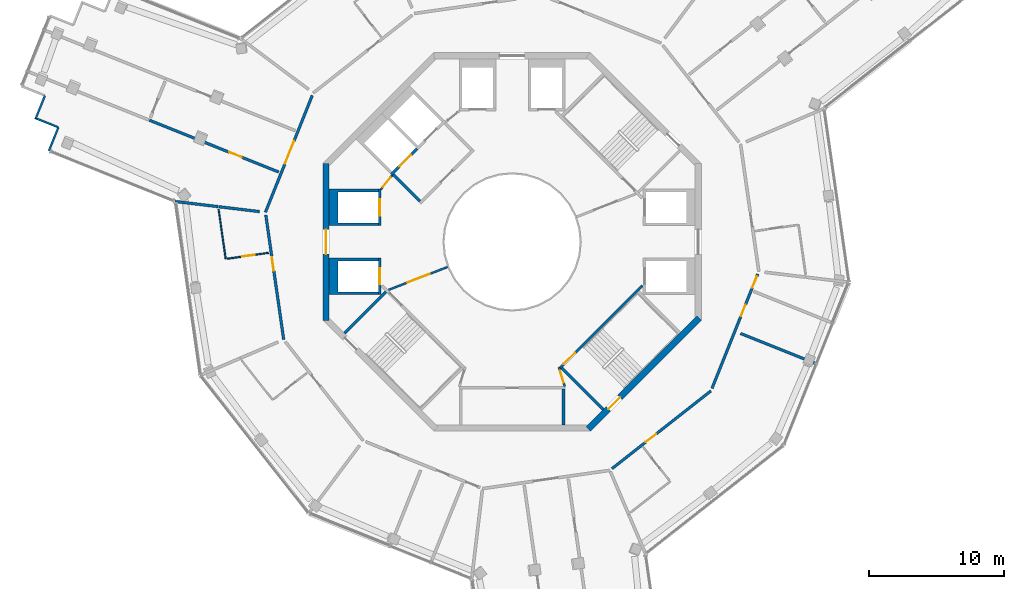
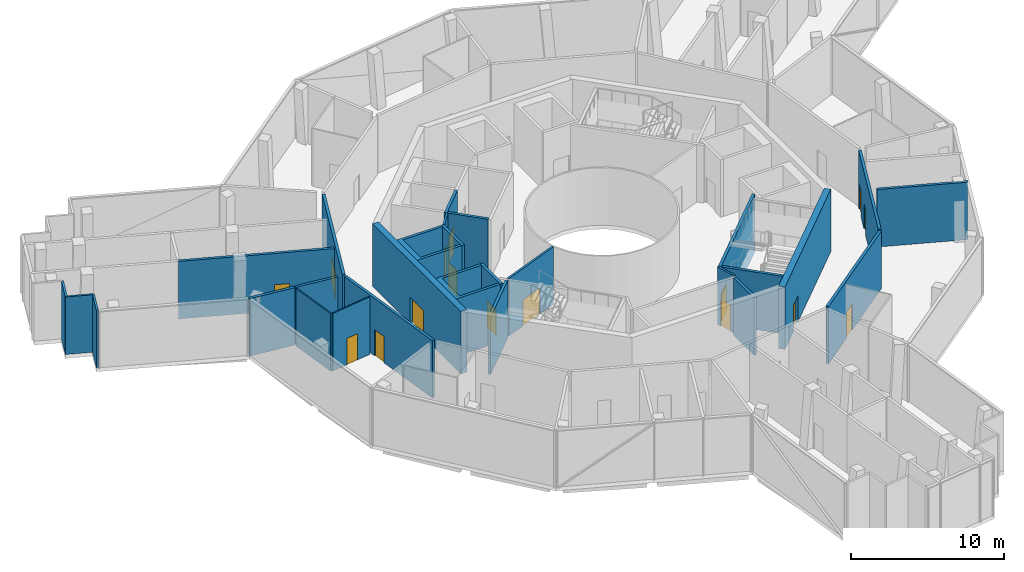
# One storey, part 11 of 19: 28 walls, 16 doors, 16 openings.
"""IFC4 building model written with IfcOpenShell, lengths in metres."""

from ifc_helpers import new_model, si_unit, direction, frame, frame_2d, origin, place, context, subcontext, project, spatial, polyline, rectangle, outline, extrude, material, layer, layer_set, type_object, element, fill, save


model = new_model("IFC4")

# Units and contexts
model_context = context("Model", 3, precision=1e-05, world=origin(), true_north=direction((0.0, 1.0)))
body_context = subcontext(model_context, "Body", "Model", "MODEL_VIEW")
ifc_project = project(units=[si_unit("LENGTHUNIT", "METRE"), si_unit("AREAUNIT", "SQUARE_METRE"), si_unit("VOLUMEUNIT", "CUBIC_METRE"), si_unit("PLANEANGLEUNIT", "RADIAN"), si_unit("MASSUNIT", "GRAM", prefix="KILO")], contexts=[model_context])

# Site, building, storey
site_placement = place(None, origin())
site = spatial("IfcSite", under=ifc_project, at=site_placement, CompositionType="ELEMENT")
building_placement = place(site_placement, origin())
building = spatial("IfcBuilding", under=site, at=building_placement, Name="Verdalira Terraces Hotel", CompositionType="ELEMENT")
storey_placement = place(building_placement, frame((0.0, 0.0, 310.0)))
storey = spatial("IfcBuildingStorey", under=building, at=storey_placement, Name="L77", CompositionType="ELEMENT", Elevation=310.0)

# Wall
ifc_material_1 = material(Name="Moisture-resistant gypsum board partition")
ifc_layer_1 = layer(ifc_material_1, 0.10009765625)
ifc_layer_set_1 = layer_set([ifc_layer_1], Name="Bathroom partition 100 mm")
wall_type_1 = type_object("IfcWallType", Name="Bathroom partition 100 mm", PredefinedType="PARTITIONING", material=ifc_layer_set_1)
wall_1_placement = place(storey_placement, frame((-21.193604, -1.262695, 0.0), z_axis=(0.0, 0.0, 1.0), x_axis=(-0.141974997, 0.989870244, 0.0)))
element("IfcWall", 1, at=wall_1_placement, inside=storey, type_object=wall_type_1, Name="Bathroom partition", PredefinedType="PARTITIONING", context=body_context, shape_type="SweptSolid", body=[
    extrude(rectangle(XDim=3.704102, YDim=0.100098, at=frame_2d((1.852051, 0.0))), origin(), (0.0, 0.0, 1.0), 4.600098),
])

# Wall, opening, door
wall_2_placement = place(storey_placement, frame((-21.094727, -1.248291, 0.0), z_axis=(0.0, 0.0, 1.0), x_axis=(0.989878489, 0.141917498, 0.0)))
wall_2 = element("IfcWall", 2, at=wall_2_placement, inside=storey, type_object=wall_type_1, Name="Bathroom partition", PredefinedType="PARTITIONING", context=body_context, shape_type="SweptSolid", body=[
    extrude(rectangle(XDim=3.100098, YDim=0.100098, at=frame_2d((1.550049, 0.0))), origin(), (0.0, 0.0, 1.0), 4.600098),
])
opening_1_placement = place(wall_2_placement, frame((1.149902, 0.0, 0.0)))
opening_1 = element("IfcOpeningElement", 3, at=opening_1_placement, cuts=wall_2, Name="Opening L77-106", PredefinedType="OPENING", context=body_context, shape_type="SweptSolid", body=[
    extrude(rectangle(XDim=0.899902, YDim=2.100098, at=frame_2d((0.449951, 1.050049))), frame((0.0, 0.060059, 0.0), z_axis=(0.0, -1.0, 0.0), x_axis=(1.0, 0.0, 0.0)), (0.0, 0.0, 1.0), 0.120117),
])
ifc_material_2 = material(Name="Timber door", Category="wood")
door_type_1 = type_object("IfcDoorType", Name="Bathroom door 900 x 2100", OperationType="NOTDEFINED", PredefinedType="DOOR", material=ifc_material_2)
door_1_placement = place(opening_1_placement, origin())
door_1 = element("IfcDoor", 4, at=door_1_placement, inside=storey, type_object=door_type_1, Name="Bathroom door 7702", OperationType="SINGLE_SWING_LEFT", OverallHeight=2.10009765625, OverallWidth=0.89990234375, PredefinedType="DOOR", context=body_context, shape_type="SweptSolid", body=[
    extrude(rectangle(XDim=0.899902, YDim=2.100098, at=frame_2d((0.449951, 1.050049))), frame((0.0, 0.024902, 0.0), z_axis=(0.0, -1.0, 0.0), x_axis=(1.0, 0.0, 0.0)), (0.0, 0.0, 1.0), 0.050049),
])
fill(opening_1, door_1)

# Wall
ifc_material_3 = material(Name="Concrete C50", Category="concrete")
ifc_layer_2 = layer(ifc_material_3, 0.199951171875)
ifc_layer_set_2 = layer_set([ifc_layer_2], Name="Core RC wall 200 C50")
wall_type_2 = type_object("IfcWallType", Name="Core RC wall 200 C50", PredefinedType="SOLIDWALL", material=ifc_layer_set_2)
wall_3_placement = place(storey_placement, origin())
element("IfcWall", 5, at=wall_3_placement, inside=storey, type_object=wall_type_2, Name="L77 shaft wall W1", PredefinedType="SOLIDWALL", context=body_context, shape_type="SweptSolid", body=[
    extrude(outline(polyline([(-13.550049, 3.899902), (-9.899902, 3.899902), (-9.899902, 3.699951), (-12.899902, 3.699951), (-12.899902, 1.399902), (-9.899902, 1.399902), (-9.899902, 1.199951), (-13.550049, 1.199951), (-13.550049, 3.899902)])), origin(), (0.0, 0.0, 1.0), 4.600098),
])

# Wall, opening, door
wall_4_placement = place(storey_placement, frame((-9.800049, 1.199951, 0.0), z_axis=(0.0, 0.0, 1.0), x_axis=(0.0, 1.0, 0.0)))
wall_4 = element("IfcWall", 6, at=wall_4_placement, inside=storey, type_object=wall_type_2, Name="L77 shaft front wall W1", PredefinedType="SOLIDWALL", context=body_context, shape_type="SweptSolid", body=[
    extrude(rectangle(XDim=2.699951, YDim=0.199951, at=frame_2d((1.350098, 0.0))), origin(), (0.0, 0.0, 1.0), 4.600098),
])
opening_2_placement = place(wall_4_placement, frame((0.75, 0.0, 0.0)))
opening_2 = element("IfcOpeningElement", 7, at=opening_2_placement, cuts=wall_4, Name="Opening LD-L77-806", PredefinedType="OPENING", context=body_context, shape_type="SweptSolid", body=[
    extrude(rectangle(XDim=1.199951, YDim=2.100098, at=frame_2d((0.600098, 1.050049))), frame((0.0, 0.109863, 0.0), z_axis=(0.0, -1.0, 0.0), x_axis=(1.0, 0.0, 0.0)), (0.0, 0.0, 1.0), 0.219971),
])
ifc_material_4 = material(Name="Stainless steel", Category="steel")
door_type_2 = type_object("IfcDoorType", Name="Landing door 1200 x 2100", OperationType="NOTDEFINED", PredefinedType="DOOR", material=ifc_material_4)
door_2_placement = place(opening_2_placement, origin())
door_2 = element("IfcDoor", 8, at=door_2_placement, inside=storey, type_object=door_type_2, Name="Lift landing door HR5 L77", OperationType="DOUBLE_DOOR_SLIDING", OverallHeight=2.10009765625, OverallWidth=1.199951171875, PredefinedType="DOOR", context=body_context, shape_type="SweptSolid", body=[
    extrude(rectangle(XDim=1.199951, YDim=2.100098, at=frame_2d((0.600098, 1.050049))), frame((0.0, 0.024902, 0.0), z_axis=(0.0, -1.0, 0.0), x_axis=(1.0, 0.0, 0.0)), (0.0, 0.0, 1.0), 0.050049),
])
fill(opening_2, door_2)

# Wall
wall_5_placement = place(storey_placement, origin())
element("IfcWall", 9, at=wall_5_placement, inside=storey, type_object=wall_type_2, Name="L77 shaft wall W2", PredefinedType="SOLIDWALL", context=body_context, shape_type="SweptSolid", body=[
    extrude(outline(polyline([(-13.550049, -3.899902), (-13.550049, -1.199951), (-9.899902, -1.199951), (-9.899902, -1.399902), (-12.899902, -1.399902), (-12.899902, -3.699951), (-9.899902, -3.699951), (-9.899902, -3.899902), (-13.550049, -3.899902)])), origin(), (0.0, 0.0, 1.0), 4.600098),
])

# Wall, opening, door
wall_6_placement = place(storey_placement, frame((-9.800049, -1.199951, 0.0), z_axis=(0.0, 0.0, 1.0), x_axis=(0.0, -1.0, 0.0)))
wall_6 = element("IfcWall", 10, at=wall_6_placement, inside=storey, type_object=wall_type_2, Name="L77 shaft front wall W2", PredefinedType="SOLIDWALL", context=body_context, shape_type="SweptSolid", body=[
    extrude(rectangle(XDim=2.699951, YDim=0.199951, at=frame_2d((1.350098, 0.0))), origin(), (0.0, 0.0, 1.0), 4.600098),
])
opening_3_placement = place(wall_6_placement, frame((0.75, 0.0, 0.0)))
opening_3 = element("IfcOpeningElement", 11, at=opening_3_placement, cuts=wall_6, Name="Opening LD-L77-807", PredefinedType="OPENING", context=body_context, shape_type="SweptSolid", body=[
    extrude(rectangle(XDim=1.199951, YDim=2.100098, at=frame_2d((0.600098, 1.050049))), frame((0.0, 0.109863, 0.0), z_axis=(0.0, -1.0, 0.0), x_axis=(1.0, 0.0, 0.0)), (0.0, 0.0, 1.0), 0.219971),
])
door_3_placement = place(opening_3_placement, origin())
door_3 = element("IfcDoor", 12, at=door_3_placement, inside=storey, type_object=door_type_2, Name="Lift landing door HR6 L77", OperationType="DOUBLE_DOOR_SLIDING", OverallHeight=2.10009765625, OverallWidth=1.199951171875, PredefinedType="DOOR", context=body_context, shape_type="SweptSolid", body=[
    extrude(rectangle(XDim=1.199951, YDim=2.100098, at=frame_2d((0.600098, 1.050049))), frame((0.0, 0.024902, 0.0), z_axis=(0.0, -1.0, 0.0), x_axis=(1.0, 0.0, 0.0)), (0.0, 0.0, 1.0), 0.050049),
])
fill(opening_3, door_3)

# Wall
wall_7_placement = place(storey_placement, frame((3.800049, -10.899902, 0.0), z_axis=(0.0, 0.0, 1.0), x_axis=(0.0, -1.0, 0.0)))
element("IfcWall", 13, at=wall_7_placement, inside=storey, type_object=wall_type_2, Name="L77 store side wall", PredefinedType="SOLIDWALL", context=body_context, shape_type="SweptSolid", body=[
    extrude(rectangle(XDim=2.650146, YDim=0.199951, at=frame_2d((1.325195, 0.0))), origin(), (0.0, 0.0, 1.0), 4.600098),
])

# Wall, opening, door
wall_8_placement = place(storey_placement, frame((-7.035645, 6.894287, 0.0), z_axis=(0.0, 0.0, 1.0), x_axis=(-0.707106781, -0.707106781, 0.0)))
wall_8 = element("IfcWall", 14, at=wall_8_placement, inside=storey, type_object=wall_type_2, Name="L77 shaft front wall F2", PredefinedType="SOLIDWALL", context=body_context, shape_type="SweptSolid", body=[
    extrude(rectangle(XDim=2.699951, YDim=0.199951, at=frame_2d((1.350098, 0.0))), origin(), (0.0, 0.0, 1.0), 4.600098),
])
opening_4_placement = place(wall_8_placement, frame((0.649902, 0.0, 0.0)))
opening_4 = element("IfcOpeningElement", 15, at=opening_4_placement, cuts=wall_8, Name="Opening LD-L77-809", PredefinedType="OPENING", context=body_context, shape_type="SweptSolid", body=[
    extrude(rectangle(XDim=1.199951, YDim=2.100098, at=frame_2d((0.600098, 1.050049))), frame((0.0, 0.109863, 0.0), z_axis=(0.0, -1.0, 0.0), x_axis=(1.0, 0.0, 0.0)), (0.0, 0.0, 1.0), 0.219971),
])
door_4_placement = place(opening_4_placement, origin())
door_4 = element("IfcDoor", 16, at=door_4_placement, inside=storey, type_object=door_type_2, Name="Lift landing door LF12 L77", OperationType="DOUBLE_DOOR_SLIDING", OverallHeight=2.10009765625, OverallWidth=1.199951171875, PredefinedType="DOOR", context=body_context, shape_type="SweptSolid", body=[
    extrude(rectangle(XDim=1.199951, YDim=2.100098, at=frame_2d((0.600098, 1.050049))), frame((0.0, 0.024902, 0.0), z_axis=(0.0, -1.0, 0.0), x_axis=(1.0, 0.0, 0.0)), (0.0, 0.0, 1.0), 0.050049),
])
fill(opening_4, door_4)

# Wall
wall_9_placement = place(storey_placement, frame((-9.33374, -3.677002, 0.0), z_axis=(0.0, 0.0, 1.0), x_axis=(-0.707106781, -0.707106781, 0.0)))
element("IfcWall", 17, at=wall_9_placement, inside=storey, type_object=wall_type_2, Name="L77 stair ST2 end wall 1", PredefinedType="SOLIDWALL", context=body_context, shape_type="SweptSolid", body=[
    extrude(rectangle(XDim=4.350098, YDim=0.199951, at=frame_2d((2.175049, 0.0))), origin(), (0.0, 0.0, 1.0), 4.600098),
])

# Wall, opening, door
wall_10_placement = place(storey_placement, frame((9.629395, -3.23999, 0.0), z_axis=(0.0, 0.0, 1.0), x_axis=(-0.707120946, -0.707092617, 0.0)))
wall_10 = element("IfcWall", 18, at=wall_10_placement, inside=storey, type_object=wall_type_2, Name="L77 stair ST3 front wall", PredefinedType="SOLIDWALL", context=body_context, shape_type="SweptSolid", body=[
    extrude(rectangle(XDim=8.61792, YDim=0.199951, at=frame_2d((4.309082, 0.0))), origin(), (0.0, 0.0, 1.0), 4.600098),
])
opening_5_placement = place(wall_10_placement, frame((7.017822, 0.0, 0.0)))
opening_5 = element("IfcOpeningElement", 19, at=opening_5_placement, cuts=wall_10, Name="Opening L77-812", PredefinedType="OPENING", context=body_context, shape_type="SweptSolid", body=[
    extrude(rectangle(XDim=1.199951, YDim=2.100098, at=frame_2d((0.600098, 1.050049))), frame((0.0, 0.109863, 0.0), z_axis=(0.0, -1.0, 0.0), x_axis=(1.0, 0.0, 0.0)), (0.0, 0.0, 1.0), 0.219971),
])
ifc_material_5 = material(Name="Steel fire door", Category="steel")
door_type_3 = type_object("IfcDoorType", Name="Stair door 1200 x 2100", OperationType="NOTDEFINED", PredefinedType="DOOR", material=ifc_material_5)
door_5_placement = place(opening_5_placement, origin())
door_5 = element("IfcDoor", 20, at=door_5_placement, inside=storey, type_object=door_type_3, Name="Stair door ST3 L77", OperationType="SINGLE_SWING_RIGHT", OverallHeight=2.10009765625, OverallWidth=1.199951171875, PredefinedType="DOOR", context=body_context, shape_type="SweptSolid", body=[
    extrude(rectangle(XDim=1.199951, YDim=2.100098, at=frame_2d((0.600098, 1.050049))), frame((0.0, 0.024902, 0.0), z_axis=(0.0, -1.0, 0.0), x_axis=(1.0, 0.0, 0.0)), (0.0, 0.0, 1.0), 0.050049),
])
fill(opening_5, door_5)

# Walls
wall_11_placement = place(storey_placement, frame((3.677002, -9.33374, 0.0), z_axis=(0.0, 0.0, 1.0), x_axis=(0.707106781, -0.707106781, 0.0)))
element("IfcWall", 21, at=wall_11_placement, inside=storey, type_object=wall_type_2, Name="L77 stair ST3 end wall 1", PredefinedType="SOLIDWALL", context=body_context, shape_type="SweptSolid", body=[
    extrude(rectangle(XDim=4.350098, YDim=0.199951, at=frame_2d((2.175049, 0.0))), origin(), (0.0, 0.0, 1.0), 4.600098),
])
wall_12_placement = place(storey_placement, frame((-6.823486, 3.005127, 0.0), z_axis=(0.0, 0.0, 1.0), x_axis=(-0.707106781, 0.707106781, 0.0)))
element("IfcWall", 22, at=wall_12_placement, inside=storey, type_object=wall_type_2, Name="L77 fire lobby wall", PredefinedType="SOLIDWALL", context=body_context, shape_type="SweptSolid", body=[
    extrude(rectangle(XDim=2.800049, YDim=0.199951, at=frame_2d((1.399902, 0.0))), origin(), (0.0, 0.0, 1.0), 4.600098),
])

# Wall, opening, door
ifc_material_6 = material(Name="Gypsum board partition")
ifc_layer_3 = layer(ifc_material_6, 0.14990234375)
ifc_layer_set_3 = layer_set([ifc_layer_3], Name="Core partition 150 mm")
wall_type_3 = type_object("IfcWallType", Name="Core partition 150 mm", PredefinedType="PARTITIONING", material=ifc_layer_set_3)
wall_13_placement = place(storey_placement, frame((-8.874268, 4.914307, 0.0), z_axis=(0.0, 0.0, 1.0), x_axis=(-0.631274009, -0.775559878, 0.0)))
wall_13 = element("IfcWall", 23, at=wall_13_placement, inside=storey, type_object=wall_type_3, Name="Room partition L77", PredefinedType="PARTITIONING", context=body_context, shape_type="SweptSolid", body=[
    extrude(rectangle(XDim=1.307861, YDim=0.149902, at=frame_2d((0.653809, 0.0))), origin(), (0.0, 0.0, 1.0), 4.600098),
])
opening_6_placement = place(wall_13_placement, frame((0.204102, 0.0, 0.0)))
opening_6 = element("IfcOpeningElement", 24, at=opening_6_placement, cuts=wall_13, Name="Opening L77-821", PredefinedType="OPENING", context=body_context, shape_type="SweptSolid", body=[
    extrude(rectangle(XDim=0.899902, YDim=2.100098, at=frame_2d((0.449951, 1.050049))), frame((0.0, 0.084961, 0.0), z_axis=(0.0, -1.0, 0.0), x_axis=(1.0, 0.0, 0.0)), (0.0, 0.0, 1.0), 0.169922),
])
ifc_material_7 = material(Name="Steel fire door", Category="steel")
door_type_4 = type_object("IfcDoorType", Name="Core room door 900 x 2100", OperationType="NOTDEFINED", PredefinedType="DOOR", material=ifc_material_7)
door_6_placement = place(opening_6_placement, origin())
door_6 = element("IfcDoor", 25, at=door_6_placement, inside=storey, type_object=door_type_4, Name="Door L77 room3", OperationType="SINGLE_SWING_LEFT", OverallHeight=2.10009765625, OverallWidth=0.89990234375, PredefinedType="DOOR", context=body_context, shape_type="SweptSolid", body=[
    extrude(rectangle(XDim=0.899902, YDim=2.100098, at=frame_2d((0.449951, 1.050049))), frame((0.0, 0.024902, 0.0), z_axis=(0.0, -1.0, 0.0), x_axis=(1.0, 0.0, 0.0)), (0.0, 0.0, 1.0), 0.050049),
])
fill(opening_6, door_6)

wall_14_placement = place(storey_placement, frame((3.899902, -10.699951, 0.0), z_axis=(0.0, 0.0, 1.0), x_axis=(-0.289808785, 0.957084567, 0.0)))
wall_14 = element("IfcWall", 26, at=wall_14_placement, inside=storey, type_object=wall_type_3, Name="Room partition L77", PredefinedType="PARTITIONING", context=body_context, shape_type="SweptSolid", body=[
    extrude(rectangle(XDim=1.501221, YDim=0.149902, at=frame_2d((0.750488, 0.0))), origin(), (0.0, 0.0, 1.0), 4.600098),
])
opening_7_placement = place(wall_14_placement, frame((0.300781, 0.0, 0.0)))
opening_7 = element("IfcOpeningElement", 27, at=opening_7_placement, cuts=wall_14, Name="Opening L77-823", PredefinedType="OPENING", context=body_context, shape_type="SweptSolid", body=[
    extrude(rectangle(XDim=0.899902, YDim=2.100098, at=frame_2d((0.449951, 1.050049))), frame((0.0, 0.084961, 0.0), z_axis=(0.0, -1.0, 0.0), x_axis=(1.0, 0.0, 0.0)), (0.0, 0.0, 1.0), 0.169922),
])
door_7_placement = place(opening_7_placement, origin())
door_7 = element("IfcDoor", 28, at=door_7_placement, inside=storey, type_object=door_type_4, Name="Door L77 room6", OperationType="SINGLE_SWING_LEFT", OverallHeight=2.10009765625, OverallWidth=0.89990234375, PredefinedType="DOOR", context=body_context, shape_type="SweptSolid", body=[
    extrude(rectangle(XDim=0.899902, YDim=2.100098, at=frame_2d((0.449951, 1.050049))), frame((0.0, 0.024902, 0.0), z_axis=(0.0, -1.0, 0.0), x_axis=(1.0, 0.0, 0.0)), (0.0, 0.0, 1.0), 0.050049),
])
fill(opening_7, door_7)

wall_15_placement = place(storey_placement, frame((-4.781982, -1.857178, 0.0), z_axis=(0.0, 0.0, 1.0), x_axis=(-0.932167228, -0.36202798, 0.0)))
wall_15 = element("IfcWall", 29, at=wall_15_placement, inside=storey, type_object=wall_type_3, Name="Gallery fire partition L77", PredefinedType="PARTITIONING", context=body_context, shape_type="SweptSolid", body=[
    extrude(rectangle(XDim=4.676025, YDim=0.149902, at=frame_2d((2.337891, 0.0))), origin(), (0.0, 0.0, 1.0), 4.600098),
])
opening_8_placement = place(wall_15_placement, frame((1.399902, 0.0, 0.0)))
opening_8 = element("IfcOpeningElement", 30, at=opening_8_placement, cuts=wall_15, Name="Opening L77-825", PredefinedType="OPENING", context=body_context, shape_type="SweptSolid", body=[
    extrude(rectangle(XDim=1.800049, YDim=2.100098, at=frame_2d((0.899902, 1.050049))), frame((0.0, 0.084961, 0.0), z_axis=(0.0, -1.0, 0.0), x_axis=(1.0, 0.0, 0.0)), (0.0, 0.0, 1.0), 0.169922),
])
ifc_material_8 = material(Name="Steel fire door", Category="steel")
door_type_5 = type_object("IfcDoorType", Name="Gallery fire door pair 1800 x 2100", OperationType="NOTDEFINED", PredefinedType="DOOR", material=ifc_material_8)
door_8_placement = place(opening_8_placement, origin())
door_8 = element("IfcDoor", 31, at=door_8_placement, inside=storey, type_object=door_type_5, Name="Door L77 split4", OperationType="DOUBLE_DOOR_SINGLE_SWING", OverallHeight=2.10009765625, OverallWidth=1.800048828125, PredefinedType="DOOR", context=body_context, shape_type="SweptSolid", body=[
    extrude(rectangle(XDim=1.800049, YDim=2.100098, at=frame_2d((0.899902, 1.050049))), frame((0.0, 0.024902, 0.0), z_axis=(0.0, -1.0, 0.0), x_axis=(1.0, 0.0, 0.0)), (0.0, 0.0, 1.0), 0.050049),
])
fill(opening_8, door_8)

ifc_material_9 = material(Name="Concrete C50", Category="concrete")
ifc_layer_4 = layer(ifc_material_9, 0.449951171875)
ifc_layer_set_4 = layer_set([ifc_layer_4], Name="Core wall 450 C50")
wall_type_4 = type_object("IfcWallType", Name="Core wall 450 C50", PredefinedType="SHEAR", material=ifc_layer_set_4)
wall_16_placement = place(storey_placement, frame((-13.774902, 5.799072, 0.0), z_axis=(0.0, 0.0, 1.0), x_axis=(0.0, -1.0, 0.0)))
wall_16 = element("IfcWall", 32, at=wall_16_placement, inside=storey, type_object=wall_type_4, Name="Core wall CW-L77-5", PredefinedType="SHEAR", context=body_context, shape_type="SweptSolid", body=[
    extrude(rectangle(XDim=11.598145, YDim=0.449951, at=frame_2d((5.799072, 0.0))), origin(), (0.0, 0.0, 1.0), 5.0),
])
opening_9_placement = place(wall_16_placement, frame((4.898926, 0.0, 0.0)))
opening_9 = element("IfcOpeningElement", 33, at=opening_9_placement, cuts=wall_16, Name="Opening L77-815", PredefinedType="OPENING", context=body_context, shape_type="SweptSolid", body=[
    extrude(rectangle(XDim=1.800049, YDim=2.100098, at=frame_2d((0.899902, 1.050049))), frame((0.0, 0.234863, 0.0), z_axis=(0.0, -1.0, 0.0), x_axis=(1.0, 0.0, 0.0)), (0.0, 0.0, 1.0), 0.469971),
])
ifc_material_10 = material(Name="Steel fire door", Category="steel")
door_type_6 = type_object("IfcDoorType", Name="Core entry door pair 1800 x 2100", OperationType="NOTDEFINED", PredefinedType="DOOR", material=ifc_material_10)
door_9_placement = place(opening_9_placement, origin())
door_9 = element("IfcDoor", 34, at=door_9_placement, inside=storey, type_object=door_type_6, Name="Core entry door L77 4", OperationType="DOUBLE_DOOR_SINGLE_SWING", OverallHeight=2.10009765625, OverallWidth=1.800048828125, PredefinedType="DOOR", context=body_context, shape_type="SweptSolid", body=[
    extrude(rectangle(XDim=1.800049, YDim=2.100098, at=frame_2d((0.899902, 1.050049))), frame((0.0, 0.024902, 0.0), z_axis=(0.0, -1.0, 0.0), x_axis=(1.0, 0.0, 0.0)), (0.0, 0.0, 1.0), 0.050049),
])
fill(opening_9, door_9)

wall_17_placement = place(storey_placement, frame((5.639893, -13.84082, 0.0), z_axis=(0.0, 0.0, 1.0), x_axis=(0.707106781, 0.707106781, 0.0)))
wall_17 = element("IfcWall", 35, at=wall_17_placement, inside=storey, type_object=wall_type_4, Name="Core wall CW-L77-8", PredefinedType="SHEAR", context=body_context, shape_type="SweptSolid", body=[
    extrude(rectangle(XDim=11.5979, YDim=0.449951, at=frame_2d((5.798828, 0.0))), origin(), (0.0, 0.0, 1.0), 5.0),
])
opening_10_placement = place(wall_17_placement, frame((2.099121, 0.0, 0.0)))
opening_10 = element("IfcOpeningElement", 36, at=opening_10_placement, cuts=wall_17, Name="Opening L77-818", PredefinedType="OPENING", context=body_context, shape_type="SweptSolid", body=[
    extrude(rectangle(XDim=1.199951, YDim=2.100098, at=frame_2d((0.600098, 1.050049))), frame((0.0, 0.234863, 0.0), z_axis=(0.0, -1.0, 0.0), x_axis=(1.0, 0.0, 0.0)), (0.0, 0.0, 1.0), 0.469971),
])
door_10_placement = place(opening_10_placement, origin())
door_10 = element("IfcDoor", 37, at=door_10_placement, inside=storey, type_object=door_type_3, Name="Stair exit door ST3 L77", OperationType="SINGLE_SWING_LEFT", OverallHeight=2.10009765625, OverallWidth=1.199951171875, PredefinedType="DOOR", context=body_context, shape_type="SweptSolid", body=[
    extrude(rectangle(XDim=1.199951, YDim=2.100098, at=frame_2d((0.600098, 1.050049))), frame((0.0, 0.024902, 0.0), z_axis=(0.0, -1.0, 0.0), x_axis=(1.0, 0.0, 0.0)), (0.0, 0.0, 1.0), 0.050049),
])
fill(opening_10, door_10)

# Wall
ifc_material_11 = material(Name="Fire-rated gypsum board wall")
ifc_layer_5 = layer(ifc_material_11, 0.199951171875)
ifc_layer_set_5 = layer_set([ifc_layer_5], Name="Demising wall 200 mm")
wall_type_5 = type_object("IfcWallType", Name="Demising wall 200 mm", PredefinedType="SOLIDWALL", material=ifc_layer_set_5)
wall_18_placement = place(storey_placement, frame((-21.746826, 2.608398, 0.0), z_axis=(0.0, 0.0, 1.0), x_axis=(-0.992878637, 0.119130232, 0.0)))
element("IfcWall", 38, at=wall_18_placement, inside=storey, type_object=wall_type_5, Name="Demising wall", PredefinedType="SOLIDWALL", context=body_context, shape_type="SweptSolid", body=[
    extrude(rectangle(XDim=3.211426, YDim=0.199951, at=frame_2d((1.605713, 0.0))), origin(), (0.0, 0.0, 1.0), 4.600098),
])

# Wall, opening, door
wall_19_placement = place(storey_placement, frame((-17.274414, 5.171387, 0.0), z_axis=(0.0, 0.0, 1.0), x_axis=(-0.928224783, 0.372019828, 0.0)))
wall_19 = element("IfcWall", 39, at=wall_19_placement, inside=storey, type_object=wall_type_5, Name="Demising wall", PredefinedType="SOLIDWALL", context=body_context, shape_type="SweptSolid", body=[
    extrude(rectangle(XDim=10.302002, YDim=0.199951, at=frame_2d((5.150879, 0.0))), origin(), (0.0, 0.0, 1.0), 4.600098),
])
opening_11_placement = place(wall_19_placement, frame((2.949951, 0.0, 0.0)))
opening_11 = element("IfcOpeningElement", 40, at=opening_11_placement, cuts=wall_19, Name="Opening L77-103", PredefinedType="OPENING", context=body_context, shape_type="SweptSolid", body=[
    extrude(rectangle(XDim=1.0, YDim=2.100098, at=frame_2d((0.5, 1.050049))), frame((0.0, 0.109863, 0.0), z_axis=(0.0, -1.0, 0.0), x_axis=(1.0, 0.0, 0.0)), (0.0, 0.0, 1.0), 0.219971),
])
ifc_material_12 = material(Name="Timber fire door", Category="wood")
door_type_7 = type_object("IfcDoorType", Name="Public room door 1000 x 2100", OperationType="NOTDEFINED", PredefinedType="DOOR", material=ifc_material_12)
door_11_placement = place(opening_11_placement, origin())
door_11 = element("IfcDoor", 41, at=door_11_placement, inside=storey, type_object=door_type_7, Name="Public room door 7701", OperationType="SINGLE_SWING_LEFT", OverallHeight=2.10009765625, OverallWidth=1.0, PredefinedType="DOOR", context=body_context, shape_type="SweptSolid", body=[
    extrude(rectangle(XDim=1.0, YDim=2.100098, at=frame_2d((0.5, 1.050049))), frame((0.0, 0.024902, 0.0), z_axis=(0.0, -1.0, 0.0), x_axis=(1.0, 0.0, 0.0)), (0.0, 0.0, 1.0), 0.050049),
])
fill(opening_11, door_11)

# Wall
wall_20_placement = place(storey_placement, frame((-18.697998, 2.24292, 0.0), z_axis=(0.0, 0.0, 1.0), x_axis=(-0.992887529, 0.119056102, 0.0)))
element("IfcWall", 42, at=wall_20_placement, inside=storey, type_object=wall_type_5, Name="Demising wall", PredefinedType="SOLIDWALL", context=body_context, shape_type="SweptSolid", body=[
    extrude(rectangle(XDim=3.024658, YDim=0.199951, at=frame_2d((1.512207, 0.0))), origin(), (0.0, 0.0, 1.0), 4.600098),
])

# Wall, opening, door
ifc_material_13 = material(Name="Fire-rated gypsum board wall")
ifc_layer_6 = layer(ifc_material_13, 0.199951171875)
ifc_layer_set_6 = layer_set([ifc_layer_6], Name="Guest corridor wall 200 mm")
wall_type_6 = type_object("IfcWallType", Name="Guest corridor wall 200 mm", PredefinedType="SOLIDWALL", material=ifc_layer_set_6)
wall_21_placement = place(storey_placement, frame((-16.90332, -7.230713, 0.0), z_axis=(0.0, 0.0, 1.0), x_axis=(-0.141927623, 0.989877038, 0.0)))
wall_21 = element("IfcWall", 43, at=wall_21_placement, inside=storey, type_object=wall_type_6, Name="Guest corridor wall", PredefinedType="SOLIDWALL", context=body_context, shape_type="SweptSolid", body=[
    extrude(rectangle(XDim=9.316406, YDim=0.199951, at=frame_2d((4.658203, 0.0))), origin(), (0.0, 0.0, 1.0), 4.600098),
])
opening_12_placement = place(wall_21_placement, frame((5.149902, 0.0, 0.0)))
opening_12 = element("IfcOpeningElement", 44, at=opening_12_placement, cuts=wall_21, Name="Opening L77-105", PredefinedType="OPENING", context=body_context, shape_type="SweptSolid", body=[
    extrude(rectangle(XDim=1.0, YDim=2.100098, at=frame_2d((0.5, 1.050049))), frame((0.0, 0.109863, 0.0), z_axis=(0.0, -1.0, 0.0), x_axis=(1.0, 0.0, 0.0)), (0.0, 0.0, 1.0), 0.219971),
])
ifc_material_14 = material(Name="Timber fire door", Category="wood")
door_type_8 = type_object("IfcDoorType", Name="Guest entry door 1000 x 2100", OperationType="NOTDEFINED", PredefinedType="DOOR", material=ifc_material_14)
door_12_placement = place(opening_12_placement, origin())
door_12 = element("IfcDoor", 45, at=door_12_placement, inside=storey, type_object=door_type_8, Name="Guest entry door 7702", OperationType="SINGLE_SWING_LEFT", OverallHeight=2.10009765625, OverallWidth=1.0, PredefinedType="DOOR", context=body_context, shape_type="SweptSolid", body=[
    extrude(rectangle(XDim=1.0, YDim=2.100098, at=frame_2d((0.5, 1.050049))), frame((0.0, 0.024902, 0.0), z_axis=(0.0, -1.0, 0.0), x_axis=(1.0, 0.0, 0.0)), (0.0, 0.0, 1.0), 0.050049),
])
fill(opening_12, door_12)

wall_22_placement = place(storey_placement, frame((-18.253906, 2.189697, 0.0), z_axis=(0.0, 0.0, 1.0), x_axis=(0.372014104, 0.928227077, 0.0)))
wall_22 = element("IfcWall", 46, at=wall_22_placement, inside=storey, type_object=wall_type_6, Name="Guest corridor wall", PredefinedType="SOLIDWALL", context=body_context, shape_type="SweptSolid", body=[
    extrude(rectangle(XDim=9.316406, YDim=0.199951, at=frame_2d((4.658203, 0.0))), origin(), (0.0, 0.0, 1.0), 4.600098),
])
opening_13_placement = place(wall_22_placement, frame((3.882324, 0.0, 0.0)))
opening_13 = element("IfcOpeningElement", 47, at=opening_13_placement, cuts=wall_22, Name="Opening L77-101", PredefinedType="OPENING", context=body_context, shape_type="SweptSolid", body=[
    extrude(rectangle(XDim=1.800049, YDim=2.100098, at=frame_2d((0.899902, 1.050049))), frame((0.0, 0.109863, 0.0), z_axis=(0.0, -1.0, 0.0), x_axis=(1.0, 0.0, 0.0)), (0.0, 0.0, 1.0), 0.219971),
])
ifc_material_15 = material(Name="Timber fire door", Category="wood")
door_type_9 = type_object("IfcDoorType", Name="Public room double door 1800 x 2100", OperationType="NOTDEFINED", PredefinedType="DOOR", material=ifc_material_15)
door_13_placement = place(opening_13_placement, origin())
door_13 = element("IfcDoor", 48, at=door_13_placement, inside=storey, type_object=door_type_9, Name="Public room double door 7701", OperationType="DOUBLE_DOOR_SINGLE_SWING", OverallHeight=2.10009765625, OverallWidth=1.800048828125, PredefinedType="DOOR", context=body_context, shape_type="SweptSolid", body=[
    extrude(rectangle(XDim=1.800049, YDim=2.100098, at=frame_2d((0.899902, 1.050049))), frame((0.0, 0.024902, 0.0), z_axis=(0.0, -1.0, 0.0), x_axis=(1.0, 0.0, 0.0)), (0.0, 0.0, 1.0), 0.050049),
])
fill(opening_13, door_13)

wall_23_placement = place(storey_placement, frame((14.713135, -11.023438, 0.0), z_axis=(0.0, 0.0, 1.0), x_axis=(-0.78628742, -0.617860902, 0.0)))
wall_23 = element("IfcWall", 49, at=wall_23_placement, inside=storey, type_object=wall_type_6, Name="Guest corridor wall", PredefinedType="SOLIDWALL", context=body_context, shape_type="SweptSolid", body=[
    extrude(rectangle(XDim=9.316162, YDim=0.199951, at=frame_2d((4.658203, 0.0))), origin(), (0.0, 0.0, 1.0), 4.600098),
])
opening_14_placement = place(wall_23_placement, frame((5.149902, 0.0, 0.0)))
opening_14 = element("IfcOpeningElement", 50, at=opening_14_placement, cuts=wall_23, Name="Opening L77-114", PredefinedType="OPENING", context=body_context, shape_type="SweptSolid", body=[
    extrude(rectangle(XDim=1.0, YDim=2.100098, at=frame_2d((0.5, 1.050049))), frame((0.0, 0.109863, 0.0), z_axis=(0.0, -1.0, 0.0), x_axis=(1.0, 0.0, 0.0)), (0.0, 0.0, 1.0), 0.219971),
])
door_14_placement = place(opening_14_placement, origin())
door_14 = element("IfcDoor", 51, at=door_14_placement, inside=storey, type_object=door_type_8, Name="Guest entry door 7706", OperationType="SINGLE_SWING_LEFT", OverallHeight=2.10009765625, OverallWidth=1.0, PredefinedType="DOOR", context=body_context, shape_type="SweptSolid", body=[
    extrude(rectangle(XDim=1.0, YDim=2.100098, at=frame_2d((0.5, 1.050049))), frame((0.0, 0.024902, 0.0), z_axis=(0.0, -1.0, 0.0), x_axis=(1.0, 0.0, 0.0)), (0.0, 0.0, 1.0), 0.050049),
])
fill(opening_14, door_14)

# Wall, openings, doors
wall_24_placement = place(storey_placement, frame((18.179443, -2.375244, 0.0), z_axis=(0.0, 0.0, 1.0), x_axis=(-0.37202319, -0.928223435, 0.0)))
wall_24 = element("IfcWall", 52, at=wall_24_placement, inside=storey, type_object=wall_type_6, Name="Guest corridor wall", PredefinedType="SOLIDWALL", context=body_context, shape_type="SweptSolid", body=[
    extrude(rectangle(XDim=9.115967, YDim=0.199951, at=frame_2d((4.558105, 0.0))), origin(), (0.0, 0.0, 1.0), 4.600098),
])
opening_15_placement = place(wall_24_placement, frame((2.458252, 0.0, 0.0)))
opening_15 = element("IfcOpeningElement", 53, at=opening_15_placement, cuts=wall_24, Name="Opening L77-127", PredefinedType="OPENING", context=body_context, shape_type="SweptSolid", body=[
    extrude(rectangle(XDim=0.899902, YDim=2.100098, at=frame_2d((0.449951, 1.050049))), frame((0.0, 0.109863, 0.0), z_axis=(0.0, -1.0, 0.0), x_axis=(1.0, 0.0, 0.0)), (0.0, 0.0, 1.0), 0.219971),
])
opening_16_placement = place(wall_24_placement, frame((0.199951, 0.0, 0.0)))
opening_16 = element("IfcOpeningElement", 54, at=opening_16_placement, cuts=wall_24, Name="Opening L77-128", PredefinedType="OPENING", context=body_context, shape_type="SweptSolid", body=[
    extrude(rectangle(XDim=0.899902, YDim=2.100098, at=frame_2d((0.449951, 1.050049))), frame((0.0, 0.109863, 0.0), z_axis=(0.0, -1.0, 0.0), x_axis=(1.0, 0.0, 0.0)), (0.0, 0.0, 1.0), 0.219971),
])
ifc_material_16 = material(Name="Timber fire door", Category="wood")
door_type_10 = type_object("IfcDoorType", Name="Toilet door 900 x 2100", OperationType="NOTDEFINED", PredefinedType="DOOR", material=ifc_material_16)
door_15_placement = place(opening_15_placement, origin())
door_15 = element("IfcDoor", 55, at=door_15_placement, inside=storey, type_object=door_type_10, Name="Toilet door 7712", OperationType="SINGLE_SWING_LEFT", OverallHeight=2.10009765625, OverallWidth=0.89990234375, PredefinedType="DOOR", context=body_context, shape_type="SweptSolid", body=[
    extrude(rectangle(XDim=0.899902, YDim=2.100098, at=frame_2d((0.449951, 1.050049))), frame((0.0, 0.024902, 0.0), z_axis=(0.0, -1.0, 0.0), x_axis=(1.0, 0.0, 0.0)), (0.0, 0.0, 1.0), 0.050049),
])
fill(opening_15, door_15)
door_16_placement = place(opening_16_placement, origin())
door_16 = element("IfcDoor", 56, at=door_16_placement, inside=storey, type_object=door_type_10, Name="Toilet door 7713", OperationType="SINGLE_SWING_LEFT", OverallHeight=2.10009765625, OverallWidth=0.89990234375, PredefinedType="DOOR", context=body_context, shape_type="SweptSolid", body=[
    extrude(rectangle(XDim=0.899902, YDim=2.100098, at=frame_2d((0.449951, 1.050049))), frame((0.0, 0.024902, 0.0), z_axis=(0.0, -1.0, 0.0), x_axis=(1.0, 0.0, 0.0)), (0.0, 0.0, 1.0), 0.050049),
])
fill(opening_16, door_16)

# Walls
ifc_material_17 = material(Name="Fire-rated gypsum board wall")
ifc_layer_7 = layer(ifc_material_17, 0.199951171875)
ifc_layer_set_7 = layer_set([ifc_layer_7], Name="Service room wall 200 mm")
wall_type_7 = type_object("IfcWallType", Name="Service room wall 200 mm", PredefinedType="SOLIDWALL", material=ifc_layer_set_7)
wall_25_placement = place(storey_placement, frame((22.51709, -9.024414, 0.0), z_axis=(0.0, 0.0, 1.0), x_axis=(-0.928223329, 0.372023456, 0.0)))
element("IfcWall", 57, at=wall_25_placement, inside=storey, type_object=wall_type_7, Name="Service room wall", PredefinedType="SOLIDWALL", context=body_context, shape_type="SweptSolid", body=[
    extrude(rectangle(XDim=6.05249, YDim=0.199951, at=frame_2d((3.026367, 0.0))), origin(), (0.0, 0.0, 1.0), 4.600098),
])
ifc_material_18 = material(Name="Terracotta cladding", Category="masonry")
ifc_layer_8 = layer(ifc_material_18, 0.14990234375)
ifc_layer_set_8 = layer_set([ifc_layer_8], Name="Terracotta clad wall 150")
wall_type_8 = type_object("IfcWallType", Name="Terracotta clad wall 150", PredefinedType="SOLIDWALL", material=ifc_layer_set_8)
wall_26_placement = place(storey_placement, frame((-34.583008, 10.816895, 0.0), z_axis=(0.0, 0.0, 1.0), x_axis=(-0.372021953, -0.928223931, 0.0)))
element("IfcWall", 58, at=wall_26_placement, inside=storey, type_object=wall_type_8, Name="Terracotta cladding wall", PredefinedType="SOLIDWALL", context=body_context, shape_type="SweptSolid", body=[
    extrude(rectangle(XDim=1.800049, YDim=0.149902, at=frame_2d((0.899902, 0.0))), origin(), (0.0, 0.0, 1.0), 4.600098),
])
for number, where, z_axis, x_axis, name in (
    (59, (-35.322266, 9.173828, 0.0), (0.0, 0.0, 1.0), (0.92821602, -0.372041691, 0.0), "Terracotta cladding wall"),
    (60, (-33.582031, 8.476318, 0.0), (0.0, 0.0, 1.0), (-0.372041691, -0.92821602, 0.0), "Terracotta cladding wall"),
):
    element("IfcWall", number, at=place(storey_placement, frame(where, z_axis=z_axis, x_axis=x_axis)), inside=storey, type_object=wall_type_8, Name=name, PredefinedType="SOLIDWALL", context=body_context, shape_type="SweptSolid", body=[
        extrude(rectangle(XDim=1.874756, YDim=0.149902, at=frame_2d((0.9375, 0.0))), origin(), (0.0, 0.0, 1.0), 4.600098),
    ])

save(model, "model.ifc")
